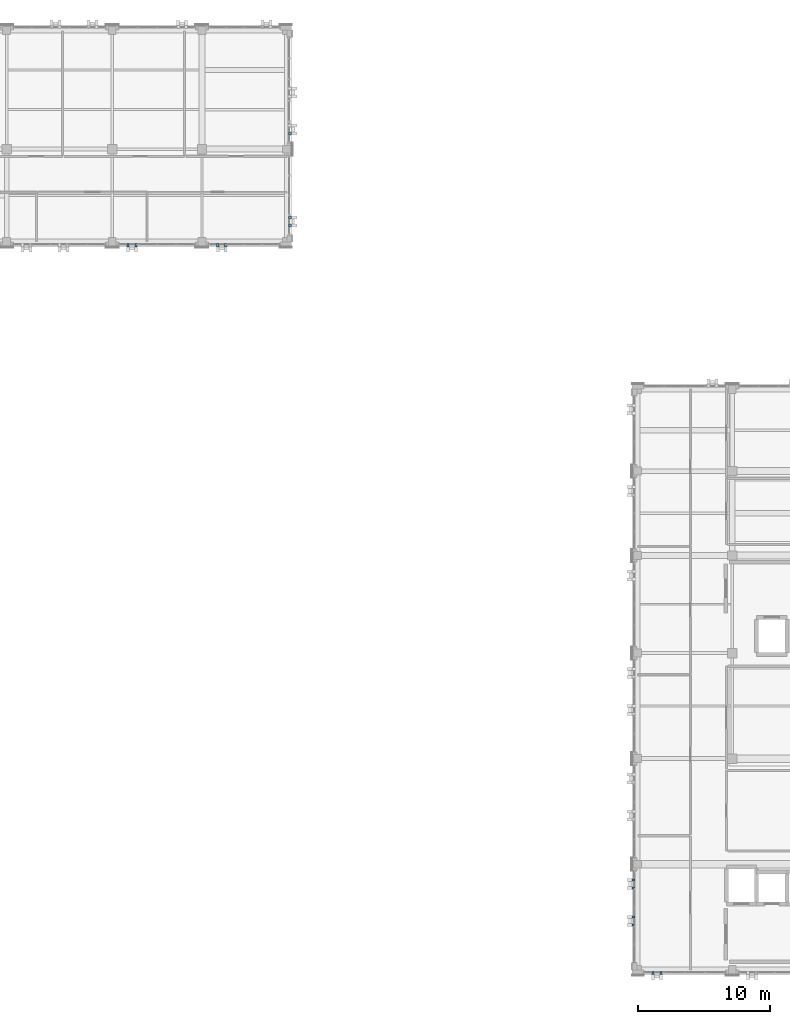
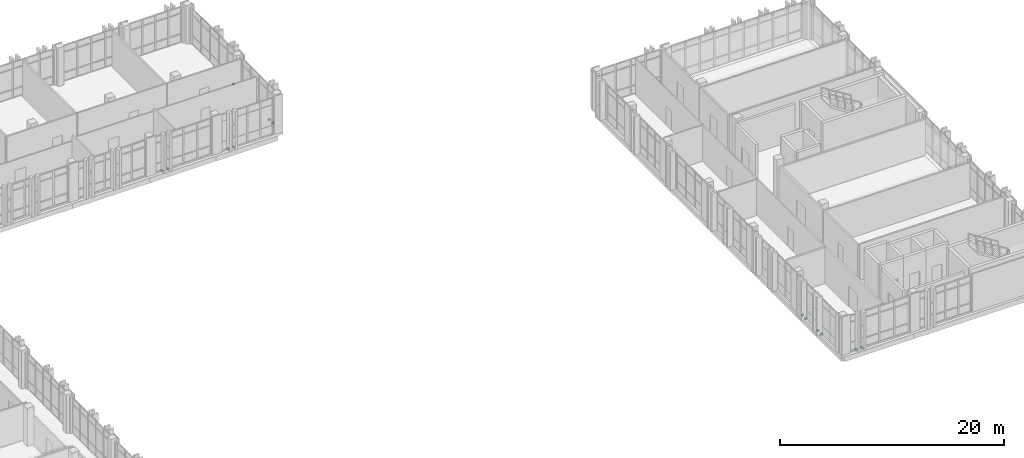
# One storey, part 66 of 77: 13 discrete accessories.
"""IFC4 building model written with IfcOpenShell, lengths in metres."""

import ifcopenshell
import ifcopenshell.guid

model = None  # the IFC model being written
_history = None  # IfcOwnerHistory: only IFC2X3 demands one
_inside = {}  # id of a spatial element -> (the spatial element, [elements in it])
_under = {}  # id of a project, library or spatial element -> (it, [spatial elements below it])
_declared = {}  # id of a project -> (the project, [libraries it declares])
_typed = {}  # id of a type object -> (the type object, [elements of that type])
_made_of = {}  # id of a material, layer set ... -> (it, [elements and type objects made of it])


def new_model(schema):
    """Start an empty IFC model of exactly this schema.

    Asked for "IFC4X3", IfcOpenShell would pick the latest addendum, in which some entities
    have other attributes; the version numbers below select the first issue.
    IFC2X3 requires an IfcOwnerHistory on every rooted entity: one is made here for all.
    """
    global model, _history
    if schema == "IFC4X3":
        model = ifcopenshell.file(schema_version=(4, 3, 0, 0))
    else:
        model = ifcopenshell.file(schema=schema)
    _inside.clear()
    _under.clear()
    _declared.clear()
    _typed.clear()
    _made_of.clear()
    _history = None
    if model.schema == "IFC2X3":
        org = make("IfcOrganization", Name="unknown")
        user = make(
            "IfcPersonAndOrganization",
            ThePerson=make("IfcPerson", FamilyName="unknown"),
            TheOrganization=org,
        )
        app = make(
            "IfcApplication",
            ApplicationDeveloper=org,
            Version="unknown",
            ApplicationFullName="unknown",
            ApplicationIdentifier="unknown",
        )
        _history = make(
            "IfcOwnerHistory",
            OwningUser=user,
            OwningApplication=app,
            ChangeAction="ADDED",
            CreationDate=0,
        )
    return model


def make(cls, **values):
    """One entity of the class cls with the attributes given. An attribute that is None is left unset."""
    return model.create_entity(
        cls, **{name: value for name, value in values.items() if value is not None}
    )


def rooted(cls, **values):
    """An entity with a GlobalId (a new one), such as an element, a storey or a relation."""
    return make(cls, GlobalId=ifcopenshell.guid.new(), OwnerHistory=_history, **values)


def si_unit(unit_type, name, prefix=None):
    """IfcSIUnit, for example si_unit("LENGTHUNIT", "METRE", prefix="MILLI")."""
    return make("IfcSIUnit", UnitType=unit_type, Prefix=prefix, Name=name)


def assignment(units):
    """IfcUnitAssignment: the units of a project."""
    return None if units is None else make("IfcUnitAssignment", Units=units)


def point(xyz):
    """IfcCartesianPoint."""
    return None if xyz is None else make("IfcCartesianPoint", Coordinates=xyz)


def direction(xyz):
    """IfcDirection."""
    return None if xyz is None else make("IfcDirection", DirectionRatios=xyz)


def frame(location, z_axis=None, x_axis=None):
    """IfcAxis2Placement3D, a coordinate frame: its origin and axes. An axis left out is left unset."""
    return make(
        "IfcAxis2Placement3D",
        Location=point(location),
        Axis=direction(z_axis),
        RefDirection=direction(x_axis),
    )


def frame_2d(location, x_axis=None):
    """IfcAxis2Placement2D, a coordinate frame in the plane: its origin and x axis."""
    return make(
        "IfcAxis2Placement2D", Location=point(location), RefDirection=direction(x_axis)
    )


def origin():
    """The frame at (0, 0, 0) with its axes left unset."""
    return frame((0.0, 0.0, 0.0))


def origin_2d():
    """The frame at (0, 0) in the plane with its x axis left unset."""
    return frame_2d((0.0, 0.0))


def place(relative_to, where):
    """IfcLocalPlacement: puts the frame where relative to a parent placement (None: the world)."""
    return make(
        "IfcLocalPlacement", PlacementRelTo=relative_to, RelativePlacement=where
    )


def context(
    kind, dimensions, precision=None, world=None, true_north=None, identifier=None
):
    """IfcGeometricRepresentationContext, for example the 3D "Model" context."""
    return make(
        "IfcGeometricRepresentationContext",
        ContextIdentifier=identifier,
        ContextType=kind,
        CoordinateSpaceDimension=dimensions,
        Precision=precision,
        WorldCoordinateSystem=world,
        TrueNorth=true_north,
    )


def subcontext(parent, identifier, kind, view, scale=None):
    """IfcGeometricRepresentationSubContext, for example "Body" below "Model"."""
    return make(
        "IfcGeometricRepresentationSubContext",
        ContextIdentifier=identifier,
        ContextType=kind,
        ParentContext=parent,
        TargetScale=scale,
        TargetView=view,
    )


def project(units=None, contexts=None):
    """IfcProject with its units and contexts."""
    return rooted(
        "IfcProject",
        Name="project",
        RepresentationContexts=contexts,
        UnitsInContext=assignment(units),
    )


def spatial(cls, under=None, at=None, **own):
    """A site, building, storey or space (cls), placed at a placement, below another one or the project."""
    s = rooted(cls, ObjectPlacement=at, **own)
    if under is not None:
        _under.setdefault(under.id(), (under, []))[1].append(s)
    return s


def profile(cls, at=None, kind="AREA", **sizes):
    """A parametric profile (cls). Its sizes go by their IFC names, for example OverallWidth=200.0."""
    return make(cls, ProfileType=kind, Position=at, **sizes)


def rectangle(**sizes):
    """IfcRectangleProfileDef."""
    return profile("IfcRectangleProfileDef", **sizes)


def extrude(swept, where, along, depth):
    """IfcExtrudedAreaSolid: the profile swept, set in the frame where, extruded along a direction by depth."""
    return make(
        "IfcExtrudedAreaSolid",
        SweptArea=swept,
        Position=where,
        ExtrudedDirection=direction(along),
        Depth=depth,
    )


def shape(context_of_items, identifier, shape_type, items):
    """IfcShapeRepresentation: the items that make up one representation, for example the "Body"."""
    return make(
        "IfcShapeRepresentation",
        ContextOfItems=context_of_items,
        RepresentationIdentifier=identifier,
        RepresentationType=shape_type,
        Items=items,
    )


def material(Name=None, Category=None):
    """IfcMaterial."""
    return make("IfcMaterial", Name=Name, Category=Category)


def made_of(thing, what):
    """Note that an element or type object is made of a material, layer set ...; save() writes the relation."""
    if what is not None:
        _made_of.setdefault(what.id(), (what, []))[1].append(thing)
    return thing


def type_object(cls, material=None, **own):
    """A type object (cls), such as IfcWallType, which elements share."""
    return made_of(rooted(cls, **own), material)


def element(
    cls,
    number,
    at=None,
    inside=None,
    cuts=None,
    type_object=None,
    material=None,
    context=None,
    identifier="Body",
    shape_type=None,
    held_by="IfcProductDefinitionShape",
    body=None,
    shapes=None,
    **own,
):
    """One element of the class cls, such as IfcWall. Its Tag is "e" and its number.

    at: its placement. inside: the storey or other place that contains it. cuts: it is an
    opening in that element (IfcRelVoidsElement). A single representation is given by context,
    identifier, shape_type and body (its items); several are given by shapes. held_by: the class
    of the entity that holds the representations. save() writes the other relations.
    """
    e = rooted(cls, Tag="e%d" % number, ObjectPlacement=at, **own)
    if body is not None:
        shapes = [shape(context, identifier, shape_type, body)]
    if shapes is not None:
        e.Representation = make(held_by, Representations=shapes)
    if inside is not None:
        _inside.setdefault(inside.id(), (inside, []))[1].append(e)
    if cuts is not None:
        rooted(
            "IfcRelVoidsElement", RelatingBuildingElement=cuts, RelatedOpeningElement=e
        )
    if type_object is not None:
        _typed.setdefault(type_object.id(), (type_object, []))[1].append(e)
    return made_of(e, material)


def aggregate(whole, parts):
    """IfcRelAggregates: a whole, such as a stair, and the parts it consists of."""
    return rooted("IfcRelAggregates", RelatingObject=whole, RelatedObjects=parts)


def save(model, path):
    """Write the relations noted so far, then the file.

    IfcRelAggregates (storeys below a building ...), IfcRelContainedInSpatialStructure (elements
    in a storey), IfcRelDefinesByType, IfcRelAssociatesMaterial and IfcRelDeclares: one each for
    every whole, place, type object, material and project.
    """
    for whole, parts in _under.values():
        aggregate(whole, parts)
    for where, things in _inside.values():
        rooted(
            "IfcRelContainedInSpatialStructure",
            RelatedElements=things,
            RelatingStructure=where,
        )
    for kind, things in _typed.values():
        rooted("IfcRelDefinesByType", RelatedObjects=things, RelatingType=kind)
    for what, things in _made_of.values():
        rooted("IfcRelAssociatesMaterial", RelatedObjects=things, RelatingMaterial=what)
    for by, libraries in _declared.values():
        rooted("IfcRelDeclares", RelatingContext=by, RelatedDefinitions=libraries)
    model.write(path)


model = new_model("IFC4")

# Units and contexts
model_context = context("Model", 3, precision=1e-05, world=origin(), true_north=direction((0.0, 1.0)))
body_context = subcontext(model_context, "Body", "Model", "MODEL_VIEW")
ifc_project = project(units=[si_unit("LENGTHUNIT", "METRE"), si_unit("AREAUNIT", "SQUARE_METRE"), si_unit("VOLUMEUNIT", "CUBIC_METRE"), si_unit("PLANEANGLEUNIT", "RADIAN"), si_unit("MASSUNIT", "GRAM", prefix="KILO")], contexts=[model_context])

# Site, building, storey
site_placement = place(None, origin())
site = spatial("IfcSite", under=ifc_project, at=site_placement, CompositionType="ELEMENT")
building_placement = place(site_placement, origin())
building = spatial("IfcBuilding", under=site, at=building_placement, Name="Qalavern Law Courts", CompositionType="ELEMENT")
storey_placement = place(building_placement, frame((0.0, 0.0, 27.0)))
storey = spatial("IfcBuildingStorey", under=building, at=storey_placement, Name="L06", CompositionType="ELEMENT", Elevation=27.0)

# Discrete accessories
ifc_material = material(Name="Steel S355", Category="steel")
discrete_accessory_type = type_object("IfcDiscreteAccessoryType", Name="ENV-BRK-FIN", PredefinedType="BRACKET", material=ifc_material)
for number, where, z_axis, x_axis, name in (
    (1, (85.800048828125, 41.14501953125, -0.06982421875), (0.0, 0.0, 1.0), (0.0, -1.0, 0.0), "Stone blade anchor bracket 0759"),
    (2, (86.39990234375, 41.14501953125, -0.06982421875), (0.0, 0.0, 1.0), (0.0, -1.0, 0.0), "Stone blade anchor bracket 0760"),
    (3, (84.324951171875, 48.199951171875, -0.06982421875), (0.0, 0.0, 1.0), (-1.0, 0.0, 0.0), "Stone blade anchor bracket 0801"),
    (4, (84.324951171875, 47.60009765625, -0.06982421875), (0.0, 0.0, 1.0), (-1.0, 0.0, 0.0), "Stone blade anchor bracket 0802"),
    (5, (84.324951171875, 45.39990234375, -0.06982421875), (0.0, 0.0, 1.0), (-1.0, 0.0, 0.0), "Stone blade anchor bracket 0803"),
    (6, (84.324951171875, 44.800048828125, -0.06982421875), (0.0, 0.0, 1.0), (-1.0, 0.0, 0.0), "Stone blade anchor bracket 0804"),
    (7, (46.0, 96.324951171875, -0.06982421875), (0.0, 0.0, 1.0), (0.0, -1.0, 0.0), "Stone blade anchor bracket 1167"),
    (8, (46.60009765625, 96.324951171875, -0.06982421875), (0.0, 0.0, 1.0), (0.0, -1.0, 0.0), "Stone blade anchor bracket 1168"),
    (9, (52.800048828125, 96.324951171875, -0.06982421875), (0.0, 0.0, 1.0), (0.0, -1.0, 0.0), "Stone blade anchor bracket 1169"),
    (10, (53.39990234375, 96.324951171875, -0.06982421875), (0.0, 0.0, 1.0), (0.0, -1.0, 0.0), "Stone blade anchor bracket 1170"),
    (11, (58.27490234375, 97.81494140625, -0.06982421875), (0.0, 0.0, 1.0), (1.0, 0.0, 0.0), "Stone blade anchor bracket 1171"),
    (12, (58.27490234375, 98.4150390625, -0.06982421875), (0.0, 0.0, 1.0), (1.0, 0.0, 0.0), "Stone blade anchor bracket 1172"),
    (13, (58.27490234375, 104.800048828125, -0.06982421875), (0.0, 0.0, 1.0), (1.0, 0.0, 0.0), "Stone blade anchor bracket 1173"),
):
    element("IfcDiscreteAccessory", number, at=place(storey_placement, frame(where, z_axis=z_axis, x_axis=x_axis)), inside=storey, type_object=discrete_accessory_type, Name=name, PredefinedType="BRACKET", context=body_context, shape_type="SweptSolid", body=[
        extrude(rectangle(XDim=0.239990234375, YDim=0.159912109375, at=origin_2d()), origin(), (0.0, 0.0, 1.0), 0.179931640625),
    ])

save(model, "model.ifc")
